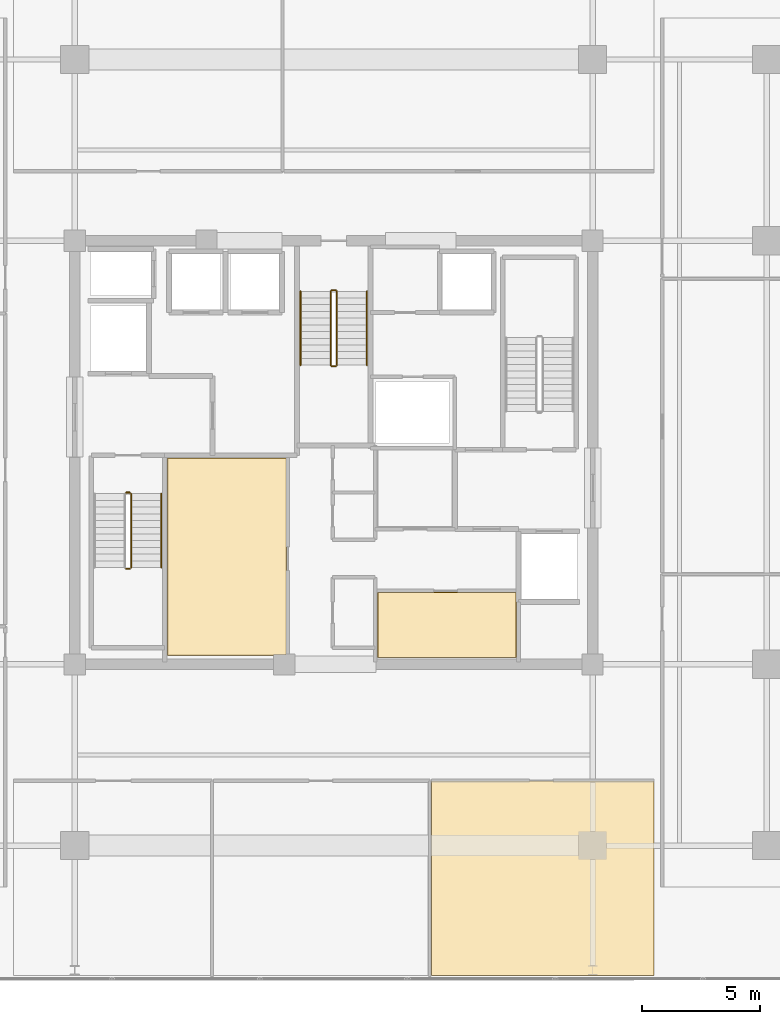
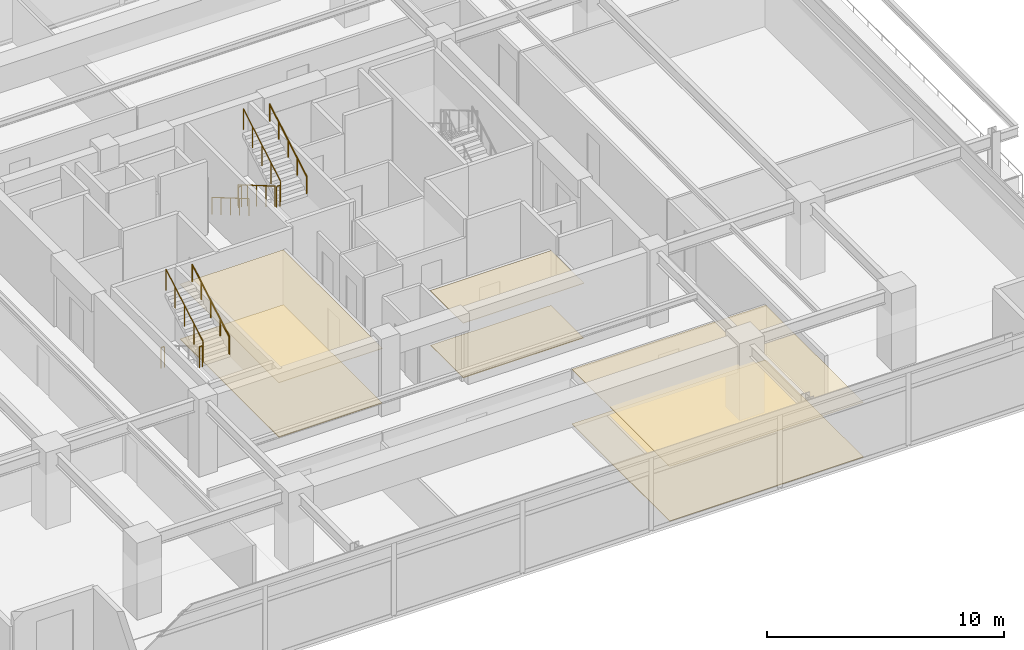
# One storey, part 19 of 21: 10 railings, 6 coverings.
"""IFC4 building model written with IfcOpenShell, lengths in metres."""

import ifcopenshell
import ifcopenshell.guid

model = None  # the IFC model being written
_history = None  # IfcOwnerHistory: only IFC2X3 demands one
_inside = {}  # id of a spatial element -> (the spatial element, [elements in it])
_under = {}  # id of a project, library or spatial element -> (it, [spatial elements below it])
_declared = {}  # id of a project -> (the project, [libraries it declares])
_typed = {}  # id of a type object -> (the type object, [elements of that type])
_made_of = {}  # id of a material, layer set ... -> (it, [elements and type objects made of it])


def new_model(schema):
    """Start an empty IFC model of exactly this schema.

    Asked for "IFC4X3", IfcOpenShell would pick the latest addendum, in which some entities
    have other attributes; the version numbers below select the first issue.
    IFC2X3 requires an IfcOwnerHistory on every rooted entity: one is made here for all.
    """
    global model, _history
    if schema == "IFC4X3":
        model = ifcopenshell.file(schema_version=(4, 3, 0, 0))
    else:
        model = ifcopenshell.file(schema=schema)
    _inside.clear()
    _under.clear()
    _declared.clear()
    _typed.clear()
    _made_of.clear()
    _history = None
    if model.schema == "IFC2X3":
        org = make("IfcOrganization", Name="unknown")
        user = make(
            "IfcPersonAndOrganization",
            ThePerson=make("IfcPerson", FamilyName="unknown"),
            TheOrganization=org,
        )
        app = make(
            "IfcApplication",
            ApplicationDeveloper=org,
            Version="unknown",
            ApplicationFullName="unknown",
            ApplicationIdentifier="unknown",
        )
        _history = make(
            "IfcOwnerHistory",
            OwningUser=user,
            OwningApplication=app,
            ChangeAction="ADDED",
            CreationDate=0,
        )
    return model


def make(cls, **values):
    """One entity of the class cls with the attributes given. An attribute that is None is left unset."""
    return model.create_entity(
        cls, **{name: value for name, value in values.items() if value is not None}
    )


def rooted(cls, **values):
    """An entity with a GlobalId (a new one), such as an element, a storey or a relation."""
    return make(cls, GlobalId=ifcopenshell.guid.new(), OwnerHistory=_history, **values)


def si_unit(unit_type, name, prefix=None):
    """IfcSIUnit, for example si_unit("LENGTHUNIT", "METRE", prefix="MILLI")."""
    return make("IfcSIUnit", UnitType=unit_type, Prefix=prefix, Name=name)


def assignment(units):
    """IfcUnitAssignment: the units of a project."""
    return None if units is None else make("IfcUnitAssignment", Units=units)


def point(xyz):
    """IfcCartesianPoint."""
    return None if xyz is None else make("IfcCartesianPoint", Coordinates=xyz)


def direction(xyz):
    """IfcDirection."""
    return None if xyz is None else make("IfcDirection", DirectionRatios=xyz)


def frame(location, z_axis=None, x_axis=None):
    """IfcAxis2Placement3D, a coordinate frame: its origin and axes. An axis left out is left unset."""
    return make(
        "IfcAxis2Placement3D",
        Location=point(location),
        Axis=direction(z_axis),
        RefDirection=direction(x_axis),
    )


def frame_2d(location, x_axis=None):
    """IfcAxis2Placement2D, a coordinate frame in the plane: its origin and x axis."""
    return make(
        "IfcAxis2Placement2D", Location=point(location), RefDirection=direction(x_axis)
    )


def origin():
    """The frame at (0, 0, 0) with its axes left unset."""
    return frame((0.0, 0.0, 0.0))


def origin_2d():
    """The frame at (0, 0) in the plane with its x axis left unset."""
    return frame_2d((0.0, 0.0))


def place(relative_to, where):
    """IfcLocalPlacement: puts the frame where relative to a parent placement (None: the world)."""
    return make(
        "IfcLocalPlacement", PlacementRelTo=relative_to, RelativePlacement=where
    )


def context(
    kind, dimensions, precision=None, world=None, true_north=None, identifier=None
):
    """IfcGeometricRepresentationContext, for example the 3D "Model" context."""
    return make(
        "IfcGeometricRepresentationContext",
        ContextIdentifier=identifier,
        ContextType=kind,
        CoordinateSpaceDimension=dimensions,
        Precision=precision,
        WorldCoordinateSystem=world,
        TrueNorth=true_north,
    )


def subcontext(parent, identifier, kind, view, scale=None):
    """IfcGeometricRepresentationSubContext, for example "Body" below "Model"."""
    return make(
        "IfcGeometricRepresentationSubContext",
        ContextIdentifier=identifier,
        ContextType=kind,
        ParentContext=parent,
        TargetScale=scale,
        TargetView=view,
    )


def project(units=None, contexts=None):
    """IfcProject with its units and contexts."""
    return rooted(
        "IfcProject",
        Name="project",
        RepresentationContexts=contexts,
        UnitsInContext=assignment(units),
    )


def spatial(cls, under=None, at=None, **own):
    """A site, building, storey or space (cls), placed at a placement, below another one or the project."""
    s = rooted(cls, ObjectPlacement=at, **own)
    if under is not None:
        _under.setdefault(under.id(), (under, []))[1].append(s)
    return s


def polyline(points):
    """IfcPolyline through the points."""
    return make("IfcPolyline", Points=[point(p) for p in points])


def profile(cls, at=None, kind="AREA", **sizes):
    """A parametric profile (cls). Its sizes go by their IFC names, for example OverallWidth=200.0."""
    return make(cls, ProfileType=kind, Position=at, **sizes)


def circle(**sizes):
    """IfcCircleProfileDef."""
    return profile("IfcCircleProfileDef", **sizes)


def outline(outer, holes=None, kind="AREA"):
    """IfcArbitraryClosedProfileDef: a profile drawn as a closed curve; with holes, ...WithVoids."""
    if holes is None:
        return make("IfcArbitraryClosedProfileDef", ProfileType=kind, OuterCurve=outer)
    return make(
        "IfcArbitraryProfileDefWithVoids",
        ProfileType=kind,
        OuterCurve=outer,
        InnerCurves=holes,
    )


def extrude(swept, where, along, depth):
    """IfcExtrudedAreaSolid: the profile swept, set in the frame where, extruded along a direction by depth."""
    return make(
        "IfcExtrudedAreaSolid",
        SweptArea=swept,
        Position=where,
        ExtrudedDirection=direction(along),
        Depth=depth,
    )


def shape(context_of_items, identifier, shape_type, items):
    """IfcShapeRepresentation: the items that make up one representation, for example the "Body"."""
    return make(
        "IfcShapeRepresentation",
        ContextOfItems=context_of_items,
        RepresentationIdentifier=identifier,
        RepresentationType=shape_type,
        Items=items,
    )


def material(Name=None, Category=None):
    """IfcMaterial."""
    return make("IfcMaterial", Name=Name, Category=Category)


def layer(
    of_material, thickness, ventilated=None, Name=None, Category=None, Priority=None
):
    """IfcMaterialLayer: one layer of a wall or slab, of a material (None: an air gap)."""
    return make(
        "IfcMaterialLayer",
        Material=of_material,
        LayerThickness=thickness,
        IsVentilated=ventilated,
        Name=Name,
        Category=Category,
        Priority=Priority,
    )


def layer_set(layers, Name=None):
    """IfcMaterialLayerSet."""
    return make("IfcMaterialLayerSet", MaterialLayers=layers, LayerSetName=Name)


def made_of(thing, what):
    """Note that an element or type object is made of a material, layer set ...; save() writes the relation."""
    if what is not None:
        _made_of.setdefault(what.id(), (what, []))[1].append(thing)
    return thing


def type_object(cls, material=None, **own):
    """A type object (cls), such as IfcWallType, which elements share."""
    return made_of(rooted(cls, **own), material)


def element(
    cls,
    number,
    at=None,
    inside=None,
    cuts=None,
    type_object=None,
    material=None,
    context=None,
    identifier="Body",
    shape_type=None,
    held_by="IfcProductDefinitionShape",
    body=None,
    shapes=None,
    **own,
):
    """One element of the class cls, such as IfcWall. Its Tag is "e" and its number.

    at: its placement. inside: the storey or other place that contains it. cuts: it is an
    opening in that element (IfcRelVoidsElement). A single representation is given by context,
    identifier, shape_type and body (its items); several are given by shapes. held_by: the class
    of the entity that holds the representations. save() writes the other relations.
    """
    e = rooted(cls, Tag="e%d" % number, ObjectPlacement=at, **own)
    if body is not None:
        shapes = [shape(context, identifier, shape_type, body)]
    if shapes is not None:
        e.Representation = make(held_by, Representations=shapes)
    if inside is not None:
        _inside.setdefault(inside.id(), (inside, []))[1].append(e)
    if cuts is not None:
        rooted(
            "IfcRelVoidsElement", RelatingBuildingElement=cuts, RelatedOpeningElement=e
        )
    if type_object is not None:
        _typed.setdefault(type_object.id(), (type_object, []))[1].append(e)
    return made_of(e, material)


def aggregate(whole, parts):
    """IfcRelAggregates: a whole, such as a stair, and the parts it consists of."""
    return rooted("IfcRelAggregates", RelatingObject=whole, RelatedObjects=parts)


def save(model, path):
    """Write the relations noted so far, then the file.

    IfcRelAggregates (storeys below a building ...), IfcRelContainedInSpatialStructure (elements
    in a storey), IfcRelDefinesByType, IfcRelAssociatesMaterial and IfcRelDeclares: one each for
    every whole, place, type object, material and project.
    """
    for whole, parts in _under.values():
        aggregate(whole, parts)
    for where, things in _inside.values():
        rooted(
            "IfcRelContainedInSpatialStructure",
            RelatedElements=things,
            RelatingStructure=where,
        )
    for kind, things in _typed.values():
        rooted("IfcRelDefinesByType", RelatedObjects=things, RelatingType=kind)
    for what, things in _made_of.values():
        rooted("IfcRelAssociatesMaterial", RelatedObjects=things, RelatingMaterial=what)
    for by, libraries in _declared.values():
        rooted("IfcRelDeclares", RelatingContext=by, RelatedDefinitions=libraries)
    model.write(path)


model = new_model("IFC4")

# Units and contexts
model_context = context("Model", 3, precision=1e-05, world=origin(), true_north=direction((0.0, 1.0)))
body_context = subcontext(model_context, "Body", "Model", "MODEL_VIEW")
ifc_project = project(units=[si_unit("LENGTHUNIT", "METRE"), si_unit("AREAUNIT", "SQUARE_METRE"), si_unit("VOLUMEUNIT", "CUBIC_METRE"), si_unit("PLANEANGLEUNIT", "RADIAN"), si_unit("MASSUNIT", "GRAM", prefix="KILO")], contexts=[model_context])

# Site, building, storey
site_placement = place(None, origin())
site = spatial("IfcSite", under=ifc_project, at=site_placement, CompositionType="ELEMENT")
building_placement = place(site_placement, origin())
building = spatial("IfcBuilding", under=site, at=building_placement, Name="Kovane Verandah Tower", CompositionType="ELEMENT")
storey_placement = place(building_placement, frame((0.0, 0.0, 275.199951171875)))
storey = spatial("IfcBuildingStorey", under=building, at=storey_placement, Name="L64", CompositionType="ELEMENT", Elevation=275.199951171875)

# Coverings
ifc_material_1 = material(Name="Perforated Acoustic Mineral-Fibre Ceiling Tile", Category="gypsum")
ifc_layer_1 = layer(ifc_material_1, 0.02490234375)
ifc_layer_set_1 = layer_set([ifc_layer_1], Name="Perforated Acoustic Mineral-Fibre Ceiling Tile")
covering_type_1 = type_object("IfcCoveringType", Name="CV-CEIL-25", PredefinedType="CEILING", material=ifc_layer_set_1)
covering_1_placement = place(storey_placement, frame((0.0, 0.0, 2.824951171875)))
element("IfcCovering", 1, at=covering_1_placement, inside=storey, type_object=covering_type_1, Name="L64 Tenant Wellness and Archive Suite Acoustic Ceiling", PredefinedType="CEILING", context=body_context, shape_type="SweptSolid", body=[
    extrude(outline(polyline([(32.93505859375, 18.885009765625), (37.9951171875, 18.885009765625), (37.9951171875, 27.264892578125), (32.93505859375, 27.264892578125), (32.93505859375, 18.885009765625)])), origin(), (0.0, 0.0, 1.0), 0.025146484375),
])
covering_2_placement = place(storey_placement, frame((0.0, 0.0, 2.824951171875)))
element("IfcCovering", 2, at=covering_2_placement, inside=storey, type_object=covering_type_1, Name="L64 Records Vault Room Acoustic Ceiling", PredefinedType="CEILING", context=body_context, shape_type="SweptSolid", body=[
    extrude(outline(polyline([(41.864990234375, 18.784912109375), (47.764892578125, 18.784912109375), (47.764892578125, 21.56494140625), (41.864990234375, 21.56494140625), (41.864990234375, 18.784912109375)])), origin(), (0.0, 0.0, 1.0), 0.025146484375),
])
covering_3_placement = place(storey_placement, frame((0.0, 0.0, 2.824951171875)))
element("IfcCovering", 3, at=covering_3_placement, inside=storey, type_object=covering_type_1, Name="L64 Focus Studio S3 Acoustic Ceiling", PredefinedType="CEILING", context=body_context, shape_type="SweptSolid", body=[
    extrude(outline(polyline([(44.14990234375, 5.289794921875), (53.60009765625, 5.289794921875), (53.60009765625, 13.550048828125), (44.14990234375, 13.550048828125), (44.14990234375, 5.289794921875)])), origin(), (0.0, 0.0, 1.0), 0.025146484375),
])
ifc_material_2 = material(Name="Polished Terrazzo and Raised-Access Carpet Tile Finish", Category="concrete")
ifc_layer_2 = layer(ifc_material_2, 0.030029296875)
ifc_layer_set_2 = layer_set([ifc_layer_2], Name="Polished Terrazzo and Raised-Access Carpet Tile Finish")
covering_type_2 = type_object("IfcCoveringType", Name="CV-FLOR-30", PredefinedType="FLOORING", material=ifc_layer_set_2)
covering_4_placement = place(storey_placement, origin())
element("IfcCovering", 4, at=covering_4_placement, inside=storey, type_object=covering_type_2, Name="L64 Tenant Wellness and Archive Suite Floor Finish", PredefinedType="FLOORING", context=body_context, shape_type="SweptSolid", body=[
    extrude(outline(polyline([(32.949951171875, 18.89990234375), (37.97998046875, 18.89990234375), (37.97998046875, 27.25), (32.949951171875, 27.25), (32.949951171875, 18.89990234375)])), origin(), (0.0, 0.0, 1.0), 0.030029296875),
])
covering_5_placement = place(storey_placement, origin())
element("IfcCovering", 5, at=covering_5_placement, inside=storey, type_object=covering_type_2, Name="L64 Records Vault Room Floor Finish", PredefinedType="FLOORING", context=body_context, shape_type="SweptSolid", body=[
    extrude(outline(polyline([(41.8798828125, 18.800048828125), (47.75, 18.800048828125), (47.75, 21.550048828125), (41.8798828125, 21.550048828125), (41.8798828125, 18.800048828125)])), origin(), (0.0, 0.0, 1.0), 0.030029296875),
])
covering_6_placement = place(storey_placement, origin())
element("IfcCovering", 6, at=covering_6_placement, inside=storey, type_object=covering_type_2, Name="L64 Focus Studio S3 Floor Finish", PredefinedType="FLOORING", context=body_context, shape_type="SweptSolid", body=[
    extrude(outline(polyline([(44.14990234375, 5.289794921875), (53.60009765625, 5.289794921875), (53.60009765625, 13.550048828125), (44.14990234375, 13.550048828125), (44.14990234375, 5.289794921875)])), origin(), (0.0, 0.0, 1.0), 0.030029296875),
])

# Railings
ifc_material_3 = material(Name="Brushed Stainless Steel Handrail", Category="steel")
railing_type_1 = type_object("IfcRailingType", Name="RL-HAND-920", PredefinedType="HANDRAIL", material=ifc_material_3)
railing_1_placement = place(storey_placement, frame((32.669921875, 22.614990234375, 2.166748046875)))
element("IfcRailing", 7, at=railing_1_placement, inside=storey, type_object=railing_type_1, Name="L64 ST-01 stair handrail 2", PredefinedType="HANDRAIL", context=body_context, shape_type="SweptSolid", body=[
    extrude(circle(Radius=0.02392578125, at=origin_2d()), frame((0.0, 0.0, 0.8759765625), z_axis=(0.0, 0.863239559939, 0.504794475164), x_axis=(-1.0, 0.0, 0.0)), (0.0, 0.0, 1.0), 3.631591796875),
    extrude(circle(Radius=0.02099609375, at=origin_2d()), origin(), (0.0, 0.0, 1.0), 0.851806640625),
    extrude(circle(Radius=0.02099609375, at=origin_2d()), frame((0.0, 0.78369140625, 0.458251953125)), (0.0, 0.0, 1.0), 0.851806640625),
    extrude(circle(Radius=0.02099609375, at=origin_2d()), frame((0.0, 1.5673828125, 0.91650390625)), (0.0, 0.0, 1.0), 0.851806640625),
    extrude(circle(Radius=0.02099609375, at=origin_2d()), frame((0.0, 2.351318359375, 1.375)), (0.0, 0.0, 1.0), 0.851806640625),
    extrude(circle(Radius=0.02099609375, at=origin_2d()), frame((0.0, 3.135009765625, 1.833251953125)), (0.0, 0.0, 1.0), 0.851806640625),
])
railing_2_placement = place(storey_placement, frame((38.590087890625, 34.35009765625, 0.166748046875)))
element("IfcRailing", 8, at=railing_2_placement, inside=storey, type_object=railing_type_1, Name="L64 ST-03 stair handrail 1", PredefinedType="HANDRAIL", context=body_context, shape_type="SweptSolid", body=[
    extrude(circle(Radius=0.02392578125, at=origin_2d()), frame((0.0, 0.0, 0.8759765625), z_axis=(0.0, -0.863239559939, 0.504794475164), x_axis=(1.0, 0.0, 0.0)), (0.0, 0.0, 1.0), 3.631591796875),
    extrude(circle(Radius=0.02099609375, at=origin_2d()), origin(), (0.0, 0.0, 1.0), 0.851806640625),
    extrude(circle(Radius=0.02099609375, at=origin_2d()), frame((0.0, -0.78369140625, 0.458251953125)), (0.0, 0.0, 1.0), 0.851806640625),
    extrude(circle(Radius=0.02099609375, at=origin_2d()), frame((0.0, -1.5673828125, 0.91650390625)), (0.0, 0.0, 1.0), 0.851806640625),
    extrude(circle(Radius=0.02099609375, at=origin_2d()), frame((0.0, -2.351318359375, 1.375)), (0.0, 0.0, 1.0), 0.851806640625),
    extrude(circle(Radius=0.02099609375, at=origin_2d()), frame((0.0, -3.135009765625, 1.833251953125)), (0.0, 0.0, 1.0), 0.851806640625),
])
railing_3_placement = place(storey_placement, frame((41.409912109375, 31.215087890625, 2.166748046875)))
element("IfcRailing", 9, at=railing_3_placement, inside=storey, type_object=railing_type_1, Name="L64 ST-03 stair handrail 2", PredefinedType="HANDRAIL", context=body_context, shape_type="SweptSolid", body=[
    extrude(circle(Radius=0.02392578125, at=origin_2d()), frame((0.0, 0.0, 0.8759765625), z_axis=(0.0, 0.863239559939, 0.504794475164), x_axis=(-1.0, 0.0, 0.0)), (0.0, 0.0, 1.0), 3.631591796875),
    extrude(circle(Radius=0.02099609375, at=origin_2d()), origin(), (0.0, 0.0, 1.0), 0.851806640625),
    extrude(circle(Radius=0.02099609375, at=origin_2d()), frame((0.0, 0.78369140625, 0.458251953125)), (0.0, 0.0, 1.0), 0.851806640625),
    extrude(circle(Radius=0.02099609375, at=origin_2d()), frame((0.0, 1.5673828125, 0.91650390625)), (0.0, 0.0, 1.0), 0.851806640625),
    extrude(circle(Radius=0.02099609375, at=origin_2d()), frame((0.0, 2.351318359375, 1.375)), (0.0, 0.0, 1.0), 0.851806640625),
    extrude(circle(Radius=0.02099609375, at=origin_2d()), frame((0.0, 3.135009765625, 1.833251953125)), (0.0, 0.0, 1.0), 0.851806640625),
])
ifc_material_4 = material(Name="Painted Steel Stairwell Guardrail", Category="steel")
railing_type_2 = type_object("IfcRailingType", Name="RL-STGUARD-1120", PredefinedType="GUARDRAIL", material=ifc_material_4)
railing_4_placement = place(storey_placement, frame((31.179931640625, 22.56494140625, 2.0)))
element("IfcRailing", 10, at=railing_4_placement, inside=storey, type_object=railing_type_2, Name="L64 ST-01 stair guard 2", PredefinedType="GUARDRAIL", context=body_context, shape_type="SweptSolid", body=[
    extrude(circle(Radius=0.02392578125, at=origin_2d()), frame((0.0, 0.0, 1.076171875), z_axis=(1.0, 0.0, 0.0), x_axis=(0.0, 1.0, 0.0)), (0.0, 0.0, 1.0), 0.16015625),
    extrude(circle(Radius=0.02099609375, at=origin_2d()), origin(), (0.0, 0.0, 1.0), 1.052001953125),
    extrude(circle(Radius=0.02099609375, at=origin_2d()), frame((0.16015625, 0.0, 0.0)), (0.0, 0.0, 1.0), 1.052001953125),
])
railing_5_placement = place(storey_placement, frame((31.389892578125, 22.614990234375, 2.166748046875)))
element("IfcRailing", 11, at=railing_5_placement, inside=storey, type_object=railing_type_2, Name="L64 ST-01 stair guard 3", PredefinedType="GUARDRAIL", context=body_context, shape_type="SweptSolid", body=[
    extrude(circle(Radius=0.02392578125, at=origin_2d()), frame((0.0, 0.0, 1.076171875), z_axis=(0.0, 0.863239559939, 0.504794475164), x_axis=(-1.0, 0.0, 0.0)), (0.0, 0.0, 1.0), 3.631591796875),
    extrude(circle(Radius=0.02099609375, at=origin_2d()), origin(), (0.0, 0.0, 1.0), 1.052001953125),
    extrude(circle(Radius=0.02099609375, at=origin_2d()), frame((0.0, 0.78369140625, 0.458251953125)), (0.0, 0.0, 1.0), 1.052001953125),
    extrude(circle(Radius=0.02099609375, at=origin_2d()), frame((0.0, 1.5673828125, 0.91650390625)), (0.0, 0.0, 1.0), 1.052001953125),
    extrude(circle(Radius=0.02099609375, at=origin_2d()), frame((0.0, 2.351318359375, 1.375)), (0.0, 0.0, 1.0), 1.052001953125),
    extrude(circle(Radius=0.02099609375, at=origin_2d()), frame((0.0, 3.135009765625, 1.833251953125)), (0.0, 0.0, 1.0), 1.052001953125),
])
railing_6_placement = place(storey_placement, frame((31.179931640625, 25.800048828125, 0.0)))
element("IfcRailing", 12, at=railing_6_placement, inside=storey, type_object=railing_type_2, Name="L64 ST-01 stair guard 4", PredefinedType="GUARDRAIL", context=body_context, shape_type="SweptSolid", body=[
    extrude(circle(Radius=0.02392578125, at=origin_2d()), frame((0.0, 0.0, 1.076171875), z_axis=(1.0, 0.0, 0.0), x_axis=(0.0, 1.0, 0.0)), (0.0, 0.0, 1.0), 0.16015625),
    extrude(circle(Radius=0.02099609375, at=origin_2d()), origin(), (0.0, 0.0, 1.0), 1.052001953125),
    extrude(circle(Radius=0.02099609375, at=origin_2d()), frame((0.16015625, 0.0, 0.0)), (0.0, 0.0, 1.0), 1.052001953125),
])
railing_7_placement = place(storey_placement, frame((39.8701171875, 34.35009765625, 0.166748046875)))
element("IfcRailing", 13, at=railing_7_placement, inside=storey, type_object=railing_type_2, Name="L64 ST-03 stair guard 1", PredefinedType="GUARDRAIL", context=body_context, shape_type="SweptSolid", body=[
    extrude(circle(Radius=0.02392578125, at=origin_2d()), frame((0.0, 0.0, 1.076171875), z_axis=(0.0, -0.863239559939, 0.504794475164), x_axis=(1.0, 0.0, 0.0)), (0.0, 0.0, 1.0), 3.631591796875),
    extrude(circle(Radius=0.02099609375, at=origin_2d()), origin(), (0.0, 0.0, 1.0), 1.052001953125),
    extrude(circle(Radius=0.02099609375, at=origin_2d()), frame((0.0, -0.78369140625, 0.458251953125)), (0.0, 0.0, 1.0), 1.052001953125),
    extrude(circle(Radius=0.02099609375, at=origin_2d()), frame((0.0, -1.5673828125, 0.91650390625)), (0.0, 0.0, 1.0), 1.052001953125),
    extrude(circle(Radius=0.02099609375, at=origin_2d()), frame((0.0, -2.351318359375, 1.375)), (0.0, 0.0, 1.0), 1.052001953125),
    extrude(circle(Radius=0.02099609375, at=origin_2d()), frame((0.0, -3.135009765625, 1.833251953125)), (0.0, 0.0, 1.0), 1.052001953125),
])
railing_8_placement = place(storey_placement, frame((39.919921875, 31.1650390625, 2.0)))
element("IfcRailing", 14, at=railing_8_placement, inside=storey, type_object=railing_type_2, Name="L64 ST-03 stair guard 2", PredefinedType="GUARDRAIL", context=body_context, shape_type="SweptSolid", body=[
    extrude(circle(Radius=0.02392578125, at=origin_2d()), frame((0.0, 0.0, 1.076171875), z_axis=(1.0, 0.0, 0.0), x_axis=(0.0, 1.0, 0.0)), (0.0, 0.0, 1.0), 0.16015625),
    extrude(circle(Radius=0.02099609375, at=origin_2d()), origin(), (0.0, 0.0, 1.0), 1.052001953125),
    extrude(circle(Radius=0.02099609375, at=origin_2d()), frame((0.16015625, 0.0, 0.0)), (0.0, 0.0, 1.0), 1.052001953125),
])
railing_9_placement = place(storey_placement, frame((40.1298828125, 31.215087890625, 2.166748046875)))
element("IfcRailing", 15, at=railing_9_placement, inside=storey, type_object=railing_type_2, Name="L64 ST-03 stair guard 3", PredefinedType="GUARDRAIL", context=body_context, shape_type="SweptSolid", body=[
    extrude(circle(Radius=0.02392578125, at=origin_2d()), frame((0.0, 0.0, 1.076171875), z_axis=(0.0, 0.863239559939, 0.504794475164), x_axis=(-1.0, 0.0, 0.0)), (0.0, 0.0, 1.0), 3.631591796875),
    extrude(circle(Radius=0.02099609375, at=origin_2d()), origin(), (0.0, 0.0, 1.0), 1.052001953125),
    extrude(circle(Radius=0.02099609375, at=origin_2d()), frame((0.0, 0.78369140625, 0.458251953125)), (0.0, 0.0, 1.0), 1.052001953125),
    extrude(circle(Radius=0.02099609375, at=origin_2d()), frame((0.0, 1.5673828125, 0.91650390625)), (0.0, 0.0, 1.0), 1.052001953125),
    extrude(circle(Radius=0.02099609375, at=origin_2d()), frame((0.0, 2.351318359375, 1.375)), (0.0, 0.0, 1.0), 1.052001953125),
    extrude(circle(Radius=0.02099609375, at=origin_2d()), frame((0.0, 3.135009765625, 1.833251953125)), (0.0, 0.0, 1.0), 1.052001953125),
])
railing_10_placement = place(storey_placement, frame((39.919921875, 34.39990234375, 0.0)))
element("IfcRailing", 16, at=railing_10_placement, inside=storey, type_object=railing_type_2, Name="L64 ST-03 stair guard 4", PredefinedType="GUARDRAIL", context=body_context, shape_type="SweptSolid", body=[
    extrude(circle(Radius=0.02392578125, at=origin_2d()), frame((0.0, 0.0, 1.076171875), z_axis=(1.0, 0.0, 0.0), x_axis=(0.0, 1.0, 0.0)), (0.0, 0.0, 1.0), 0.16015625),
    extrude(circle(Radius=0.02099609375, at=origin_2d()), origin(), (0.0, 0.0, 1.0), 1.052001953125),
    extrude(circle(Radius=0.02099609375, at=origin_2d()), frame((0.16015625, 0.0, 0.0)), (0.0, 0.0, 1.0), 1.052001953125),
])

save(model, "model.ifc")
